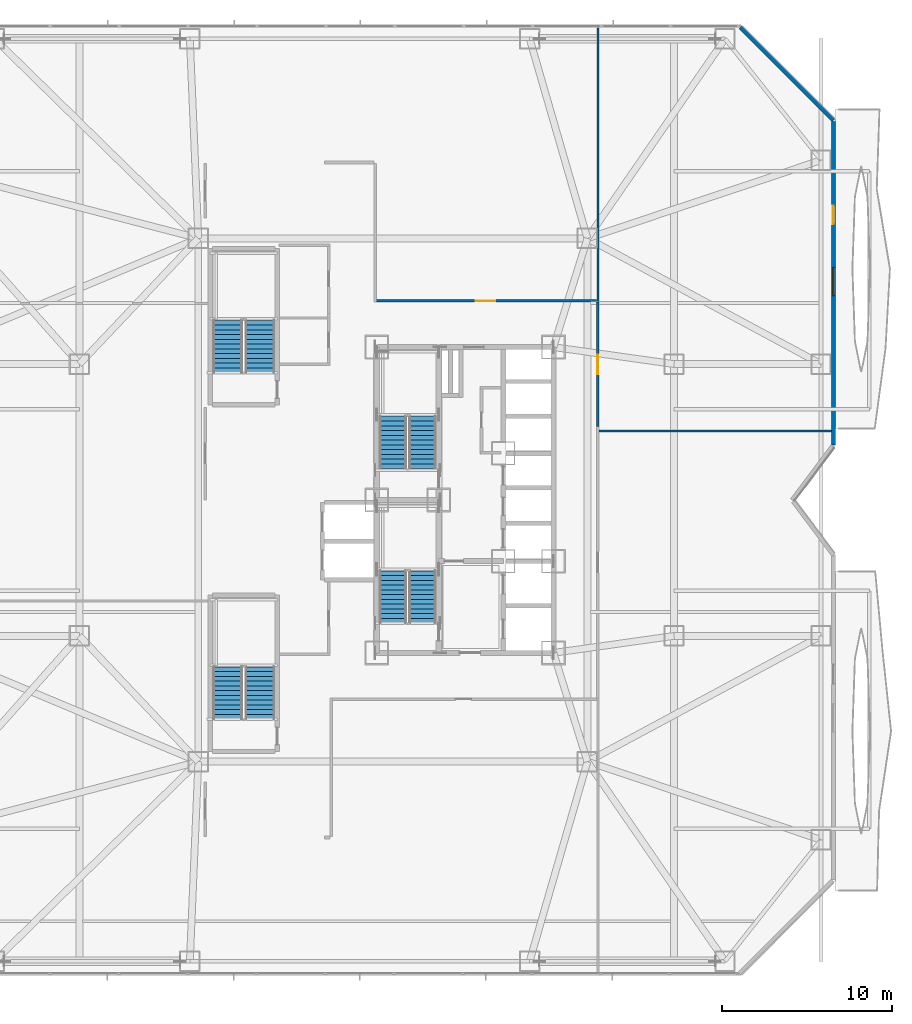
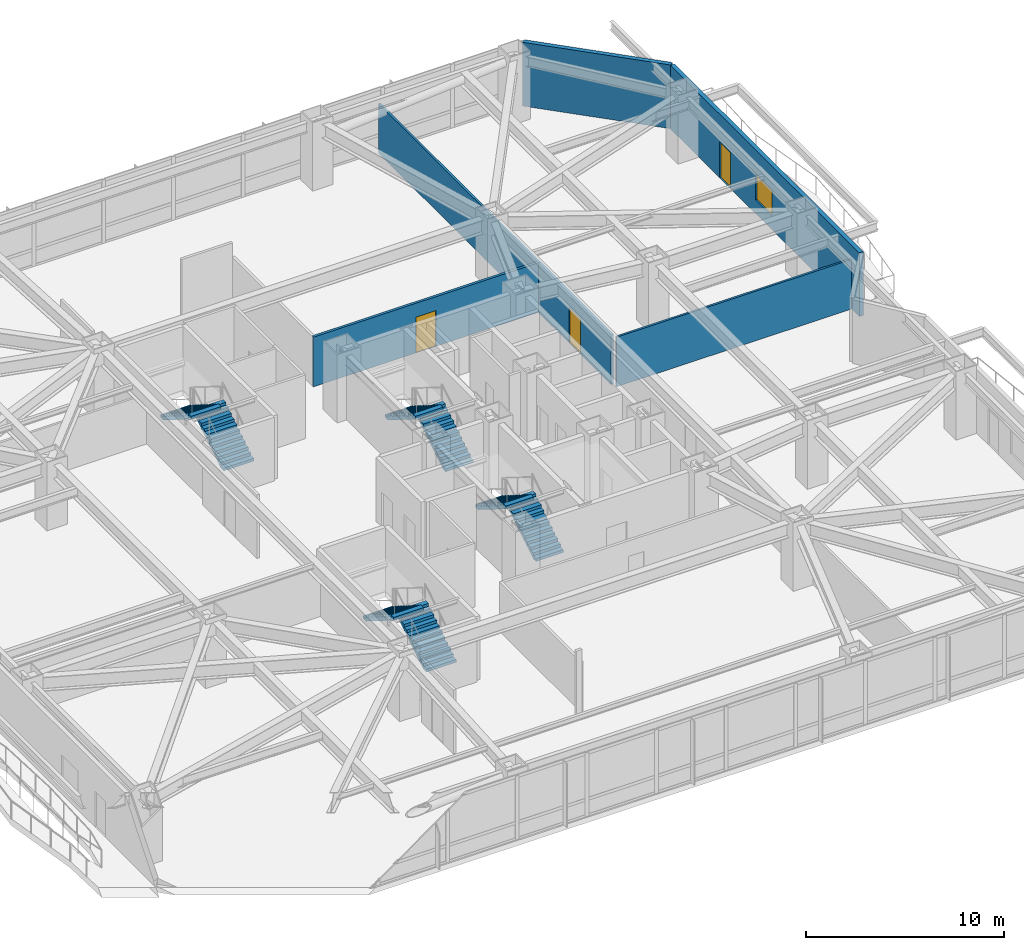
# One storey, part 25 of 32: 8 stair flights, 6 walls, 3 doors, 1 window, 4 openings, 4 elements without a shape of their own.
"""IFC4 building model written with IfcOpenShell, lengths in metres."""

from ifc_helpers import new_model, si_unit, direction, frame, frame_2d, origin, place, context, subcontext, project, spatial, polyline, rectangle, outline, extrude, material, layer, layer_set, type_object, element, fill, aggregate, save


model = new_model("IFC4")

# Units and contexts
model_context = context("Model", 3, precision=1e-05, world=origin(), true_north=direction((0.0, 1.0)))
body_context = subcontext(model_context, "Body", "Model", "MODEL_VIEW")
ifc_project = project(units=[si_unit("LENGTHUNIT", "METRE"), si_unit("AREAUNIT", "SQUARE_METRE"), si_unit("VOLUMEUNIT", "CUBIC_METRE"), si_unit("PLANEANGLEUNIT", "RADIAN"), si_unit("MASSUNIT", "GRAM", prefix="KILO")], contexts=[model_context])

# Site, building, storey
site_placement = place(None, origin())
site = spatial("IfcSite", under=ifc_project, at=site_placement, CompositionType="ELEMENT")
building_placement = place(site_placement, origin())
building = spatial("IfcBuilding", under=site, at=building_placement, Name="Khamvora Tower", CompositionType="ELEMENT")
storey_placement = place(building_placement, frame((0.0, 0.0, 12.0)))
storey = spatial("IfcBuildingStorey", under=building, at=storey_placement, Name="L02", CompositionType="ELEMENT", Elevation=12.0)

# Wall, opening, door
ifc_material_1 = material(Name="Fire-Rated Drywall and Steel Stud", Category="steel")
ifc_layer_1 = layer(ifc_material_1, 0.14990234375)
ifc_layer_set_1 = layer_set([ifc_layer_1], Name="Fire-Rated Drywall and Steel Stud")
wall_type_1 = type_object("IfcWallType", Name="WAL-CORR-150", PredefinedType="STANDARD", material=ifc_layer_set_1)
wall_1_placement = place(storey_placement, frame((42.014892578125, 39.64990234375, 0.0), z_axis=(0.0, 0.0, 1.0), x_axis=(0.0, -1.0, 0.0)))
wall_1 = element("IfcWall", 1, at=wall_1_placement, inside=storey, type_object=wall_type_1, Name="L02 interior partition wall 014", PredefinedType="STANDARD", context=body_context, shape_type="SweptSolid", body=[
    extrude(rectangle(XDim=7.3359375, YDim=0.14990234375, at=frame_2d((3.66796875, 0.0))), origin(), (0.0, 0.0, 1.0), 3.054931640625),
])
opening_1_placement = place(wall_1_placement, frame((3.093017578125, 0.0, 0.0)))
opening_1 = element("IfcOpeningElement", 2, at=opening_1_placement, cuts=wall_1, Name="Opening D-SC1", PredefinedType="OPENING", context=body_context, shape_type="SweptSolid", body=[
    extrude(rectangle(XDim=1.14990234375, YDim=2.199951171875, at=frame_2d((0.574951171875, 1.10009765625))), frame((0.0, 0.0849609375, 0.0), z_axis=(0.0, -1.0, 0.0), x_axis=(1.0, 0.0, 0.0)), (0.0, 0.0, 1.0), 0.169921875),
])
ifc_material_2 = material(Name="Powder-Coated Steel and Hardwood Leaf", Category="steel")
door_type_1 = type_object("IfcDoorType", Name="DOR-SCHL-1150", OperationType="NOTDEFINED", PredefinedType="DOOR", material=ifc_material_2)
door_1_placement = place(opening_1_placement, origin())
door_1 = element("IfcDoor", 3, at=door_1_placement, inside=storey, type_object=door_type_1, Name="L02 interior door SCOR-ART", OperationType="SINGLE_SWING_RIGHT", OverallHeight=2.199951171875, OverallWidth=1.14990234375, PredefinedType="DOOR", context=body_context, shape_type="SweptSolid", body=[
    extrude(rectangle(XDim=1.14990234375, YDim=2.199951171875, at=frame_2d((0.574951171875, 1.10009765625))), frame((0.0, 0.02490234375, 0.0), z_axis=(0.0, -1.0, 0.0), x_axis=(1.0, 0.0, 0.0)), (0.0, 0.0, 1.0), 0.050048828125),
])
fill(opening_1, door_1)

wall_2_placement = place(storey_placement, frame((28.85205078125, 39.715087890625, 0.0), z_axis=(0.0, 0.0, 1.0), x_axis=(1.0, 0.0, 0.0)))
wall_2 = element("IfcWall", 4, at=wall_2_placement, inside=storey, type_object=wall_type_1, Name="L02 interior partition wall 020", PredefinedType="STANDARD", context=body_context, shape_type="SweptSolid", body=[
    extrude(rectangle(XDim=13.097900390625, YDim=0.14990234375, at=frame_2d((6.548828125, 0.0))), origin(), (0.0, 0.0, 1.0), 3.054931640625),
])
opening_2_placement = place(wall_2_placement, frame((5.97412109375, 0.0, 0.0)))
opening_2 = element("IfcOpeningElement", 5, at=opening_2_placement, cuts=wall_2, Name="Opening D-SC1", PredefinedType="OPENING", context=body_context, shape_type="SweptSolid", body=[
    extrude(rectangle(XDim=1.14990234375, YDim=2.199951171875, at=frame_2d((0.574951171875, 1.10009765625))), frame((0.0, 0.0849609375, 0.0), z_axis=(0.0, -1.0, 0.0), x_axis=(1.0, 0.0, 0.0)), (0.0, 0.0, 1.0), 0.169921875),
])
door_2_placement = place(opening_2_placement, origin())
door_2 = element("IfcDoor", 6, at=door_2_placement, inside=storey, type_object=door_type_1, Name="L02 interior door SCOR-MUS", OperationType="SINGLE_SWING_RIGHT", OverallHeight=2.199951171875, OverallWidth=1.14990234375, PredefinedType="DOOR", context=body_context, shape_type="SweptSolid", body=[
    extrude(rectangle(XDim=1.14990234375, YDim=2.199951171875, at=frame_2d((0.574951171875, 1.10009765625))), frame((0.0, 0.02490234375, 0.0), z_axis=(0.0, -1.0, 0.0), x_axis=(1.0, 0.0, 0.0)), (0.0, 0.0, 1.0), 0.050048828125),
])
fill(opening_2, door_2)

# Wall
ifc_material_3 = material(Name="Precast concrete C40/50", Category="concrete")
ifc_layer_2 = layer(ifc_material_3, 0.239990234375)
ifc_layer_set_2 = layer_set([ifc_layer_2], Name="Precast concrete C40/50")
wall_type_2 = type_object("IfcWallType", Name="WAL-EXT-240", PredefinedType="STANDARD", material=ifc_layer_set_2)
wall_3_placement = place(storey_placement, frame((50.405029296875, 55.824951171875, 0.0), z_axis=(0.0, 0.0, 1.0), x_axis=(0.707106781187, -0.707106781187, 0.0)))
element("IfcWall", 7, at=wall_3_placement, inside=storey, type_object=wall_type_2, Name="L02 exterior facade wall 08.1", PredefinedType="STANDARD", context=body_context, shape_type="SweptSolid", body=[
    extrude(rectangle(XDim=7.74267578125, YDim=0.239990234375, at=frame_2d((3.871337890625, 0.0))), origin(), (0.0, 0.0, 1.0), 3.919921875),
])

# Wall, openings, door, window
wall_4_placement = place(storey_placement, frame((55.8798828125, 50.27197265625, 0.0), z_axis=(0.0, 0.0, 1.0), x_axis=(0.0, -1.0, 0.0)))
wall_4 = element("IfcWall", 8, at=wall_4_placement, inside=storey, type_object=wall_type_2, Name="L02 exterior facade wall 09.1", PredefinedType="STANDARD", context=body_context, shape_type="SweptSolid", body=[
    extrude(rectangle(XDim=19.031982421875, YDim=0.239990234375, at=frame_2d((9.51611328125, 0.0))), origin(), (0.0, 0.0, 1.0), 3.919921875),
])
opening_3_placement = place(wall_4_placement, frame((4.94091796875, 0.0, 0.0)))
opening_3 = element("IfcOpeningElement", 9, at=opening_3_placement, cuts=wall_4, Name="Opening BD-01", PredefinedType="OPENING", context=body_context, shape_type="SweptSolid", body=[
    extrude(rectangle(XDim=1.10009765625, YDim=2.199951171875, at=frame_2d((0.550048828125, 1.10009765625))), frame((0.0, 0.1298828125, 0.0), z_axis=(0.0, -1.0, 0.0), x_axis=(1.0, 0.0, 0.0)), (0.0, 0.0, 1.0), 0.260009765625),
])
opening_4_placement = place(wall_4_placement, frame((8.591064453125, 0.0, 0.85009765625)))
opening_4 = element("IfcOpeningElement", 10, at=opening_4_placement, cuts=wall_4, Name="Opening WN-06", PredefinedType="OPENING", context=body_context, shape_type="SweptSolid", body=[
    extrude(rectangle(XDim=1.64990234375, YDim=1.550048828125, at=frame_2d((0.824951171875, 0.77490234375))), frame((0.0, 0.1298828125, 0.0), z_axis=(0.0, -1.0, 0.0), x_axis=(1.0, 0.0, 0.0)), (0.0, 0.0, 1.0), 0.260009765625),
])
ifc_material_4 = material(Name="Anodised Aluminium and Laminated Safety Glass", Category="aluminium")
door_type_2 = type_object("IfcDoorType", Name="DOR-BAL-1100", OperationType="NOTDEFINED", PredefinedType="DOOR", material=ifc_material_4)
door_3_placement = place(opening_3_placement, origin())
door_3 = element("IfcDoor", 11, at=door_3_placement, inside=storey, type_object=door_type_2, Name="L02 lens gallery balcony door EL2", OperationType="SLIDING_TO_LEFT", OverallHeight=2.199951171875, OverallWidth=1.10009765625, PredefinedType="DOOR", context=body_context, shape_type="SweptSolid", body=[
    extrude(rectangle(XDim=1.10009765625, YDim=2.199951171875, at=frame_2d((0.550048828125, 1.10009765625))), frame((0.0, 0.02490234375, 0.0), z_axis=(0.0, -1.0, 0.0), x_axis=(1.0, 0.0, 0.0)), (0.0, 0.0, 1.0), 0.050048828125),
])
fill(opening_3, door_3)
ifc_material_5 = material(Name="Low-E Laminated Double Glazing", Category="glass")
window_type = type_object("IfcWindowType", Name="WIN-VIS-1650x1550", PartitioningType="SINGLE_PANEL", PredefinedType="WINDOW", material=ifc_material_5)
window_placement = place(opening_4_placement, origin())
window = element("IfcWindow", 12, at=window_placement, inside=storey, type_object=window_type, Name="L02 vision window 09.1.01", OverallHeight=1.550048828125, OverallWidth=1.64990234375, PartitioningType="SINGLE_PANEL", PredefinedType="WINDOW", context=body_context, shape_type="SweptSolid", body=[
    extrude(rectangle(XDim=1.64990234375, YDim=1.550048828125, at=frame_2d((0.824951171875, 0.77490234375))), frame((0.0, 0.030029296875, 0.0), z_axis=(0.0, -1.0, 0.0), x_axis=(1.0, 0.0, 0.0)), (0.0, 0.0, 1.0), 0.06005859375),
])
fill(opening_4, window)

# Walls
ifc_material_6 = material(Name="Gypsum Plasterboard Partition", Category="gypsum")
ifc_layer_3 = layer(ifc_material_6, 0.1201171875)
ifc_layer_set_3 = layer_set([ifc_layer_3], Name="Gypsum Plasterboard Partition")
wall_type_3 = type_object("IfcWallType", Name="WAL-PART-120", PredefinedType="PARTITIONING", material=ifc_layer_set_3)
wall_5_placement = place(storey_placement, frame((42.08203125, 32.06494140625, 0.0), z_axis=(0.0, 0.0, 1.0), x_axis=(1.0, 0.0, 0.0)))
element("IfcWall", 13, at=wall_5_placement, inside=storey, type_object=wall_type_3, Name="L02 interior partition wall 024", PredefinedType="PARTITIONING", context=body_context, shape_type="SweptSolid", body=[
    extrude(rectangle(XDim=13.68603515625, YDim=0.1201171875, at=frame_2d((6.843017578125, 0.0))), origin(), (0.0, 0.0, 1.0), 3.054931640625),
])
wall_6_placement = place(storey_placement, frame((42.014892578125, 39.64990234375, 0.0), z_axis=(0.0, 0.0, 1.0), x_axis=(0.0, 1.0, 0.0)))
element("IfcWall", 14, at=wall_6_placement, inside=storey, type_object=wall_type_3, Name="L02 interior partition wall 026", PredefinedType="PARTITIONING", context=body_context, shape_type="SweptSolid", body=[
    extrude(rectangle(XDim=16.128173828125, YDim=0.1201171875, at=frame_2d((8.06396484375, 0.0))), origin(), (0.0, 0.0, 1.0), 3.054931640625),
])

# Stair, stair flights
ifc_material_7 = material(Name="Concrete C40/50", Category="concrete")
stair_type_1 = type_object("IfcStairType", Name="STR-ST-01", PredefinedType="HALF_TURN_STAIR", material=ifc_material_7)
stair_1_placement = place(storey_placement, origin())
stair_1 = element("IfcStair", 15, at=stair_1_placement, inside=storey, type_object=stair_type_1, Name="L02 South Tower Exit Stair ST-01", PredefinedType="HALF_TURN_STAIR")
stair_flight_type_1 = type_object("IfcStairFlightType", Name="STF-ST-01", PredefinedType="STRAIGHT", material=ifc_material_7)
stair_flight_1_placement = place(storey_placement, frame((31.699951171875, 20.75, 0.0), z_axis=(0.0, 0.0, 1.0), x_axis=(0.0, 1.0, 0.0)))
stair_flight_1 = element("IfcStairFlight", 16, at=stair_flight_1_placement, type_object=stair_flight_type_1, Name="ST-01 flight 1", NumberOfRisers=12, NumberOfTreads=11, PredefinedType="STRAIGHT", RiserHeight=0.175, TreadLength=0.28, context=body_context, shape_type="SweptSolid", body=[
    extrude(outline(polyline([(0.0, 0.0), (0.0, 0.175048828125), (0.280029296875, 0.175048828125), (0.280029296875, 0.35009765625), (0.56005859375, 0.35009765625), (0.56005859375, 0.52490234375), (0.840087890625, 0.52490234375), (0.840087890625, 0.699951171875), (1.1201171875, 0.699951171875), (1.1201171875, 0.875), (1.39990234375, 0.875), (1.39990234375, 1.050048828125), (1.679931640625, 1.050048828125), (1.679931640625, 1.22509765625), (1.9599609375, 1.22509765625), (1.9599609375, 1.39990234375), (2.239990234375, 1.39990234375), (2.239990234375, 1.574951171875), (2.52001953125, 1.574951171875), (2.52001953125, 1.75), (2.800048828125, 1.75), (2.800048828125, 1.925048828125), (3.080078125, 1.925048828125), (3.080078125, 2.10009765625), (3.080078125, 1.748291015625), (0.28271484375, 0.0), (0.0, 0.0)])), frame((0.0, 0.800048828125, 0.0), z_axis=(0.0, -1.0, 0.0), x_axis=(1.0, 0.0, 0.0)), (0.0, 0.0, 1.0), 1.60009765625),
])
stair_flight_2_placement = place(storey_placement, frame((29.949951171875, 23.830078125, 2.10009765625), z_axis=(0.0, 0.0, 1.0), x_axis=(0.0, -1.0, 0.0)))
stair_flight_2 = element("IfcStairFlight", 17, at=stair_flight_2_placement, type_object=stair_flight_type_1, Name="ST-01 flight 2", NumberOfRisers=12, NumberOfTreads=11, PredefinedType="STRAIGHT", RiserHeight=0.175, TreadLength=0.28, context=body_context, shape_type="SweptSolid", body=[
    extrude(outline(polyline([(0.0, 0.0), (0.0, 0.175048828125), (0.280029296875, 0.175048828125), (0.280029296875, 0.35009765625), (0.56005859375, 0.35009765625), (0.56005859375, 0.52490234375), (0.840087890625, 0.52490234375), (0.840087890625, 0.699951171875), (1.1201171875, 0.699951171875), (1.1201171875, 0.875), (1.39990234375, 0.875), (1.39990234375, 1.050048828125), (1.679931640625, 1.050048828125), (1.679931640625, 1.22509765625), (1.9599609375, 1.22509765625), (1.9599609375, 1.39990234375), (2.239990234375, 1.39990234375), (2.239990234375, 1.574951171875), (2.52001953125, 1.574951171875), (2.52001953125, 1.75), (2.800048828125, 1.75), (2.800048828125, 1.925048828125), (3.080078125, 1.925048828125), (3.080078125, 2.10009765625), (3.080078125, 1.748291015625), (0.28271484375, 0.0), (0.0, 0.0)])), frame((0.0, 0.800048828125, 0.0), z_axis=(0.0, -1.0, 0.0), x_axis=(1.0, 0.0, 0.0)), (0.0, 0.0, 1.0), 1.60009765625),
])
aggregate(stair_1, [stair_flight_1, stair_flight_2])

stair_type_2 = type_object("IfcStairType", Name="STR-ST-02", PredefinedType="HALF_TURN_STAIR", material=ifc_material_7)
stair_2_placement = place(storey_placement, origin())
stair_2 = element("IfcStair", 18, at=stair_2_placement, inside=storey, type_object=stair_type_2, Name="L02 North Tower Exit Stair ST-02", PredefinedType="HALF_TURN_STAIR")
stair_flight_type_2 = type_object("IfcStairFlightType", Name="STF-ST-02", PredefinedType="STRAIGHT", material=ifc_material_7)
stair_flight_3_placement = place(storey_placement, frame((31.699951171875, 29.85009765625, 0.0), z_axis=(0.0, 0.0, 1.0), x_axis=(0.0, 1.0, 0.0)))
stair_flight_3 = element("IfcStairFlight", 19, at=stair_flight_3_placement, type_object=stair_flight_type_2, Name="ST-02 flight 1", NumberOfRisers=12, NumberOfTreads=11, PredefinedType="STRAIGHT", RiserHeight=0.175, TreadLength=0.28, context=body_context, shape_type="SweptSolid", body=[
    extrude(outline(polyline([(0.0, 0.0), (0.0, 0.175048828125), (0.280029296875, 0.175048828125), (0.280029296875, 0.35009765625), (0.56005859375, 0.35009765625), (0.56005859375, 0.52490234375), (0.840087890625, 0.52490234375), (0.840087890625, 0.699951171875), (1.1201171875, 0.699951171875), (1.1201171875, 0.875), (1.39990234375, 0.875), (1.39990234375, 1.050048828125), (1.679931640625, 1.050048828125), (1.679931640625, 1.22509765625), (1.9599609375, 1.22509765625), (1.9599609375, 1.39990234375), (2.239990234375, 1.39990234375), (2.239990234375, 1.574951171875), (2.52001953125, 1.574951171875), (2.52001953125, 1.75), (2.800048828125, 1.75), (2.800048828125, 1.925048828125), (3.080078125, 1.925048828125), (3.080078125, 2.10009765625), (3.080078125, 1.748291015625), (0.28271484375, 0.0), (0.0, 0.0)])), frame((0.0, 0.800048828125, 0.0), z_axis=(0.0, -1.0, 0.0), x_axis=(1.0, 0.0, 0.0)), (0.0, 0.0, 1.0), 1.60009765625),
])
stair_flight_4_placement = place(storey_placement, frame((29.949951171875, 32.929931640625, 2.10009765625), z_axis=(0.0, 0.0, 1.0), x_axis=(0.0, -1.0, 0.0)))
stair_flight_4 = element("IfcStairFlight", 20, at=stair_flight_4_placement, type_object=stair_flight_type_2, Name="ST-02 flight 2", NumberOfRisers=12, NumberOfTreads=11, PredefinedType="STRAIGHT", RiserHeight=0.175, TreadLength=0.28, context=body_context, shape_type="SweptSolid", body=[
    extrude(outline(polyline([(0.0, 0.0), (0.0, 0.175048828125), (0.280029296875, 0.175048828125), (0.280029296875, 0.35009765625), (0.56005859375, 0.35009765625), (0.56005859375, 0.52490234375), (0.840087890625, 0.52490234375), (0.840087890625, 0.699951171875), (1.1201171875, 0.699951171875), (1.1201171875, 0.875), (1.39990234375, 0.875), (1.39990234375, 1.050048828125), (1.679931640625, 1.050048828125), (1.679931640625, 1.22509765625), (1.9599609375, 1.22509765625), (1.9599609375, 1.39990234375), (2.239990234375, 1.39990234375), (2.239990234375, 1.574951171875), (2.52001953125, 1.574951171875), (2.52001953125, 1.75), (2.800048828125, 1.75), (2.800048828125, 1.925048828125), (3.080078125, 1.925048828125), (3.080078125, 2.10009765625), (3.080078125, 1.748291015625), (0.28271484375, 0.0), (0.0, 0.0)])), frame((0.0, 0.800048828125, 0.0), z_axis=(0.0, -1.0, 0.0), x_axis=(1.0, 0.0, 0.0)), (0.0, 0.0, 1.0), 1.60009765625),
])
aggregate(stair_2, [stair_flight_3, stair_flight_4])

stair_type_3 = type_object("IfcStairType", Name="STR-ST-03", PredefinedType="HALF_TURN_STAIR", material=ifc_material_7)
stair_3_placement = place(storey_placement, origin())
stair_3 = element("IfcStair", 21, at=stair_3_placement, inside=storey, type_object=stair_type_3, Name="L02 South School Podium Stair ST-03", PredefinedType="HALF_TURN_STAIR")
stair_flight_type_3 = type_object("IfcStairFlightType", Name="STF-ST-03", PredefinedType="STRAIGHT", material=ifc_material_7)
stair_flight_5_placement = place(storey_placement, frame((22.125, 15.10009765625, 0.0), z_axis=(0.0, 0.0, 1.0), x_axis=(0.0, 1.0, 0.0)))
stair_flight_5 = element("IfcStairFlight", 22, at=stair_flight_5_placement, type_object=stair_flight_type_3, Name="ST-03 flight 1", NumberOfRisers=12, NumberOfTreads=11, PredefinedType="STRAIGHT", RiserHeight=0.175, TreadLength=0.28, context=body_context, shape_type="SweptSolid", body=[
    extrude(outline(polyline([(0.0, 0.0), (0.0, 0.175048828125), (0.280029296875, 0.175048828125), (0.280029296875, 0.35009765625), (0.56005859375, 0.35009765625), (0.56005859375, 0.52490234375), (0.840087890625, 0.52490234375), (0.840087890625, 0.699951171875), (1.1201171875, 0.699951171875), (1.1201171875, 0.875), (1.39990234375, 0.875), (1.39990234375, 1.050048828125), (1.679931640625, 1.050048828125), (1.679931640625, 1.22509765625), (1.9599609375, 1.22509765625), (1.9599609375, 1.39990234375), (2.239990234375, 1.39990234375), (2.239990234375, 1.574951171875), (2.52001953125, 1.574951171875), (2.52001953125, 1.75), (2.800048828125, 1.75), (2.800048828125, 1.925048828125), (3.080078125, 1.925048828125), (3.080078125, 2.10009765625), (3.080078125, 1.748291015625), (0.28271484375, 0.0), (0.0, 0.0)])), frame((0.0, 0.875, 0.0), z_axis=(0.0, -1.0, 0.0), x_axis=(1.0, 0.0, 0.0)), (0.0, 0.0, 1.0), 1.75),
])
stair_flight_6_placement = place(storey_placement, frame((20.22509765625, 18.179931640625, 2.10009765625), z_axis=(0.0, 0.0, 1.0), x_axis=(0.0, -1.0, 0.0)))
stair_flight_6 = element("IfcStairFlight", 23, at=stair_flight_6_placement, type_object=stair_flight_type_3, Name="ST-03 flight 2", NumberOfRisers=12, NumberOfTreads=11, PredefinedType="STRAIGHT", RiserHeight=0.175, TreadLength=0.28, context=body_context, shape_type="SweptSolid", body=[
    extrude(outline(polyline([(0.0, 0.0), (0.0, 0.175048828125), (0.280029296875, 0.175048828125), (0.280029296875, 0.35009765625), (0.56005859375, 0.35009765625), (0.56005859375, 0.52490234375), (0.840087890625, 0.52490234375), (0.840087890625, 0.699951171875), (1.1201171875, 0.699951171875), (1.1201171875, 0.875), (1.39990234375, 0.875), (1.39990234375, 1.050048828125), (1.679931640625, 1.050048828125), (1.679931640625, 1.22509765625), (1.9599609375, 1.22509765625), (1.9599609375, 1.39990234375), (2.239990234375, 1.39990234375), (2.239990234375, 1.574951171875), (2.52001953125, 1.574951171875), (2.52001953125, 1.75), (2.800048828125, 1.75), (2.800048828125, 1.925048828125), (3.080078125, 1.925048828125), (3.080078125, 2.10009765625), (3.080078125, 1.748291015625), (0.28271484375, 0.0), (0.0, 0.0)])), frame((0.0, 0.875, 0.0), z_axis=(0.0, -1.0, 0.0), x_axis=(1.0, 0.0, 0.0)), (0.0, 0.0, 1.0), 1.75),
])
aggregate(stair_3, [stair_flight_5, stair_flight_6])

stair_type_4 = type_object("IfcStairType", Name="STR-ST-04", PredefinedType="HALF_TURN_STAIR", material=ifc_material_7)
stair_4_placement = place(storey_placement, origin())
stair_4 = element("IfcStair", 24, at=stair_4_placement, inside=storey, type_object=stair_type_4, Name="L02 North School Podium Stair ST-04", PredefinedType="HALF_TURN_STAIR")
stair_flight_type_4 = type_object("IfcStairFlightType", Name="STF-ST-04", PredefinedType="STRAIGHT", material=ifc_material_7)
stair_flight_7_placement = place(storey_placement, frame((22.125, 35.5, 0.0), z_axis=(0.0, 0.0, 1.0), x_axis=(0.0, 1.0, 0.0)))
stair_flight_7 = element("IfcStairFlight", 25, at=stair_flight_7_placement, type_object=stair_flight_type_4, Name="ST-04 flight 1", NumberOfRisers=12, NumberOfTreads=11, PredefinedType="STRAIGHT", RiserHeight=0.175, TreadLength=0.28, context=body_context, shape_type="SweptSolid", body=[
    extrude(outline(polyline([(0.0, 0.0), (0.0, 0.175048828125), (0.280029296875, 0.175048828125), (0.280029296875, 0.35009765625), (0.56005859375, 0.35009765625), (0.56005859375, 0.52490234375), (0.840087890625, 0.52490234375), (0.840087890625, 0.699951171875), (1.1201171875, 0.699951171875), (1.1201171875, 0.875), (1.39990234375, 0.875), (1.39990234375, 1.050048828125), (1.679931640625, 1.050048828125), (1.679931640625, 1.22509765625), (1.9599609375, 1.22509765625), (1.9599609375, 1.39990234375), (2.239990234375, 1.39990234375), (2.239990234375, 1.574951171875), (2.52001953125, 1.574951171875), (2.52001953125, 1.75), (2.800048828125, 1.75), (2.800048828125, 1.925048828125), (3.080078125, 1.925048828125), (3.080078125, 2.10009765625), (3.080078125, 1.748291015625), (0.28271484375, 0.0), (0.0, 0.0)])), frame((0.0, 0.875, 0.0), z_axis=(0.0, -1.0, 0.0), x_axis=(1.0, 0.0, 0.0)), (0.0, 0.0, 1.0), 1.75),
])
stair_flight_8_placement = place(storey_placement, frame((20.22509765625, 38.580078125, 2.10009765625), z_axis=(0.0, 0.0, 1.0), x_axis=(0.0, -1.0, 0.0)))
stair_flight_8 = element("IfcStairFlight", 26, at=stair_flight_8_placement, type_object=stair_flight_type_4, Name="ST-04 flight 2", NumberOfRisers=12, NumberOfTreads=11, PredefinedType="STRAIGHT", RiserHeight=0.175, TreadLength=0.28, context=body_context, shape_type="SweptSolid", body=[
    extrude(outline(polyline([(0.0, 0.0), (0.0, 0.175048828125), (0.280029296875, 0.175048828125), (0.280029296875, 0.35009765625), (0.56005859375, 0.35009765625), (0.56005859375, 0.52490234375), (0.840087890625, 0.52490234375), (0.840087890625, 0.699951171875), (1.1201171875, 0.699951171875), (1.1201171875, 0.875), (1.39990234375, 0.875), (1.39990234375, 1.050048828125), (1.679931640625, 1.050048828125), (1.679931640625, 1.22509765625), (1.9599609375, 1.22509765625), (1.9599609375, 1.39990234375), (2.239990234375, 1.39990234375), (2.239990234375, 1.574951171875), (2.52001953125, 1.574951171875), (2.52001953125, 1.75), (2.800048828125, 1.75), (2.800048828125, 1.925048828125), (3.080078125, 1.925048828125), (3.080078125, 2.10009765625), (3.080078125, 1.748291015625), (0.28271484375, 0.0), (0.0, 0.0)])), frame((0.0, 0.875, 0.0), z_axis=(0.0, -1.0, 0.0), x_axis=(1.0, 0.0, 0.0)), (0.0, 0.0, 1.0), 1.75),
])
aggregate(stair_4, [stair_flight_7, stair_flight_8])

save(model, "model.ifc")
